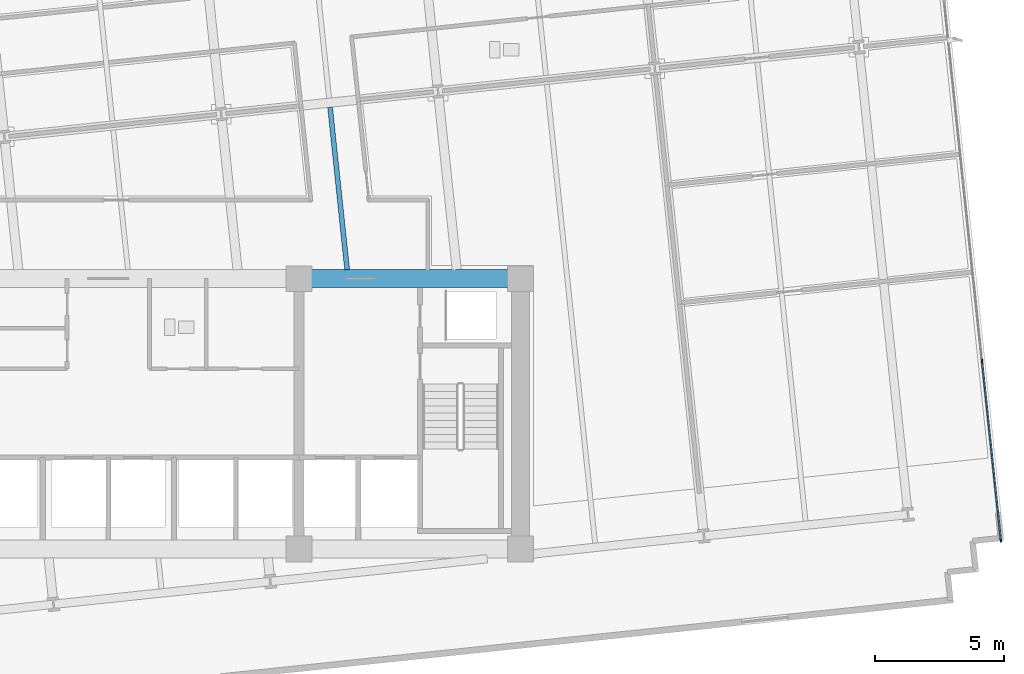
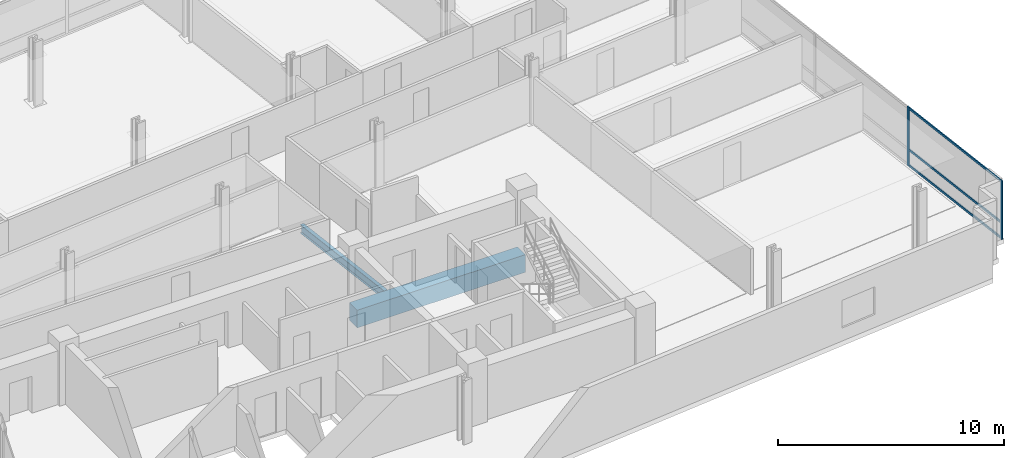
# One storey, part 6 of 21: 5 members, 2 beams, 1 element without a shape of its own.
"""IFC4 building model written with IfcOpenShell, lengths in metres."""

from ifc_helpers import new_model, si_unit, direction, frame, origin, origin_2d, place, context, subcontext, project, spatial, rectangle, i_section, extrude, material, material_profile, profile_set, type_object, element, aggregate, save


model = new_model("IFC4")

# Units and contexts
model_context = context("Model", 3, precision=1e-05, world=origin(), true_north=direction((0.0, 1.0)))
body_context = subcontext(model_context, "Body", "Model", "MODEL_VIEW")
ifc_project = project(units=[si_unit("LENGTHUNIT", "METRE"), si_unit("AREAUNIT", "SQUARE_METRE"), si_unit("VOLUMEUNIT", "CUBIC_METRE"), si_unit("PLANEANGLEUNIT", "RADIAN"), si_unit("MASSUNIT", "GRAM", prefix="KILO")], contexts=[model_context])

# Site, building, storey
site_placement = place(None, origin())
site = spatial("IfcSite", under=ifc_project, at=site_placement, CompositionType="ELEMENT")
building_placement = place(site_placement, origin())
building = spatial("IfcBuilding", under=site, at=building_placement, Name="Solmavex Isthmus Hotel", CompositionType="ELEMENT")
storey_placement = place(building_placement, frame((0.0, 0.0, 106.35009765625)))
storey = spatial("IfcBuildingStorey", under=building, at=storey_placement, Name="L28", CompositionType="ELEMENT", Elevation=106.35009765625)

# Beams
ifc_material_1 = material(Name="Steel ASTM A992 Grade 50", Category="steel")
ifc_material_profile_1 = material_profile(ifc_material_1, i_section(OverallWidth=0.1904296875, OverallDepth=0.456787109375, WebThickness=0.009033203125, FlangeThickness=0.014404296875, FilletRadius=0.0126953125, at=origin_2d()), Name="W18X50")
ifc_profile_set_1 = profile_set([ifc_material_profile_1], Name="Steel ASTM A992 Grade 50")
beam_type_1 = type_object("IfcBeamType", Name="BM-BJ-W18X50", PredefinedType="JOIST", material=ifc_profile_set_1)
beam_1_placement = place(storey_placement, frame((9.271484375, -2.14990234375, -0.488525390625), z_axis=(-0.104524400071, 0.994522322419, 0.0), x_axis=(-0.994522322419, -0.104524400071, 0.0)))
element("IfcBeam", 1, at=beam_1_placement, inside=storey, type_object=beam_type_1, Name="Secondary Floor Joist L28-J13", PredefinedType="JOIST", context=body_context, shape_type="SweptSolid", body=[
    extrude(i_section(OverallWidth=0.1904296875, OverallDepth=0.456787109375, WebThickness=0.009033203125, FlangeThickness=0.014404296875, FilletRadius=0.0126953125, at=origin_2d()), origin(), (0.0, 0.0, 1.0), 6.339111328125),
])
ifc_material_2 = material(Name="Concrete C60/75", Category="concrete")
ifc_material_profile_2 = material_profile(ifc_material_2, rectangle(XDim=0.699951171875, YDim=0.949951171875, at=origin_2d()), Name="RC700X950")
ifc_profile_set_2 = profile_set([ifc_material_profile_2], Name="Concrete C60/75")
beam_type_2 = type_object("IfcBeamType", Name="BM-CB-700X950", PredefinedType="BEAM", material=ifc_profile_set_2)
beam_2_placement = place(storey_placement, frame((7.39990234375, -2.5, -0.735107421875), z_axis=(1.0, 0.0, 0.0), x_axis=(0.0, 1.0, 0.0)))
element("IfcBeam", 2, at=beam_2_placement, inside=storey, type_object=beam_type_2, Name="Core Coupling Beam L28-CB6", PredefinedType="BEAM", context=body_context, shape_type="SweptSolid", body=[
    extrude(rectangle(XDim=0.699951171875, YDim=0.949951171875, at=origin_2d()), origin(), (0.0, 0.0, 1.0), 8.60009765625),
])

# Curtain wall, members
ifc_material_3 = material(Name="Aluminium alloy 6063-T6", Category="aluminium")
curtain_wall_type = type_object("IfcCurtainWallType", Name="CW-SYS-06", PredefinedType="NOTDEFINED", material=ifc_material_3)
curtain_wall_placement = place(storey_placement, origin())
curtain_wall = element("IfcCurtainWall", 3, at=curtain_wall_placement, inside=storey, type_object=curtain_wall_type, Name="Stick Curtain Wall CWL-L28-E1", PredefinedType="NOTDEFINED")
ifc_material_profile_3 = material_profile(ifc_material_3, rectangle(XDim=0.06005859375, YDim=0.139892578125, at=origin_2d()), Name="CWM-60X140")
ifc_profile_set_3 = profile_set([ifc_material_profile_3], Name="Aluminium alloy 6063-T6")
member_type_1 = type_object("IfcMemberType", Name="CW-SYS-06-MUL", PredefinedType="MULLION", material=ifc_profile_set_3)
member_1_placement = place(storey_placement, frame((34.65576171875, -12.657470703125, 0.0), z_axis=(0.0, 0.0, 1.0), x_axis=(-0.994521893044, -0.104528485381, 0.0)))
member_1 = element("IfcMember", 4, at=member_1_placement, type_object=member_type_1, Name="CW-06 mullion 1", PredefinedType="MULLION", context=body_context, shape_type="SweptSolid", body=[
    extrude(rectangle(XDim=0.06005859375, YDim=0.139892578125, at=origin_2d()), origin(), (0.0, 0.0, 1.0), 3.18994140625),
])
member_2_placement = place(storey_placement, frame((33.92529296875, -5.705810546875, 0.0), z_axis=(0.0, 0.0, 1.0), x_axis=(-0.994521893044, -0.104528485381, 0.0)))
member_2 = element("IfcMember", 5, at=member_2_placement, type_object=member_type_1, Name="CW-06 mullion 2", PredefinedType="MULLION", context=body_context, shape_type="SweptSolid", body=[
    extrude(rectangle(XDim=0.06005859375, YDim=0.139892578125, at=origin_2d()), origin(), (0.0, 0.0, 1.0), 3.18994140625),
])
ifc_material_profile_4 = material_profile(ifc_material_3, rectangle(XDim=0.06005859375, YDim=0.114990234375, at=origin_2d()), Name="CWT-60X115")
ifc_profile_set_4 = profile_set([ifc_material_profile_4], Name="Aluminium alloy 6063-T6")
member_type_2 = type_object("IfcMemberType", Name="CW-SYS-06-TRN", PredefinedType="USERDEFINED", material=ifc_profile_set_4)
member_3_placement = place(storey_placement, frame((34.65283203125, -12.627685546875, 0.057373046875), z_axis=(-0.10452523802, 0.99452223435, 0.0), x_axis=(-0.99452223435, -0.10452523802, 0.0)))
member_3 = element("IfcMember", 6, at=member_3_placement, type_object=member_type_2, Name="CW-06 transom 1.1", ObjectType="TRANSOM", PredefinedType="USERDEFINED", context=body_context, shape_type="SweptSolid", body=[
    extrude(rectangle(XDim=0.06005859375, YDim=0.114990234375, at=origin_2d()), origin(), (0.0, 0.0, 1.0), 6.929931640625),
])
member_4_placement = place(storey_placement, frame((34.65283203125, -12.627685546875, 0.89990234375), z_axis=(-0.10452523802, 0.99452223435, 0.0), x_axis=(-0.99452223435, -0.10452523802, 0.0)))
member_4 = element("IfcMember", 7, at=member_4_placement, type_object=member_type_2, Name="CW-06 transom 1.2", ObjectType="TRANSOM", PredefinedType="USERDEFINED", context=body_context, shape_type="SweptSolid", body=[
    extrude(rectangle(XDim=0.06005859375, YDim=0.114990234375, at=origin_2d()), origin(), (0.0, 0.0, 1.0), 6.929931640625),
])
member_5_placement = place(storey_placement, frame((34.65283203125, -12.627685546875, 3.13232421875), z_axis=(-0.10452523802, 0.99452223435, 0.0), x_axis=(-0.99452223435, -0.10452523802, 0.0)))
member_5 = element("IfcMember", 8, at=member_5_placement, type_object=member_type_2, Name="CW-06 transom 1.3", ObjectType="TRANSOM", PredefinedType="USERDEFINED", context=body_context, shape_type="SweptSolid", body=[
    extrude(rectangle(XDim=0.06005859375, YDim=0.114990234375, at=origin_2d()), origin(), (0.0, 0.0, 1.0), 6.929931640625),
])
aggregate(curtain_wall, [member_1, member_2, member_3, member_4, member_5])

save(model, "model.ifc")
